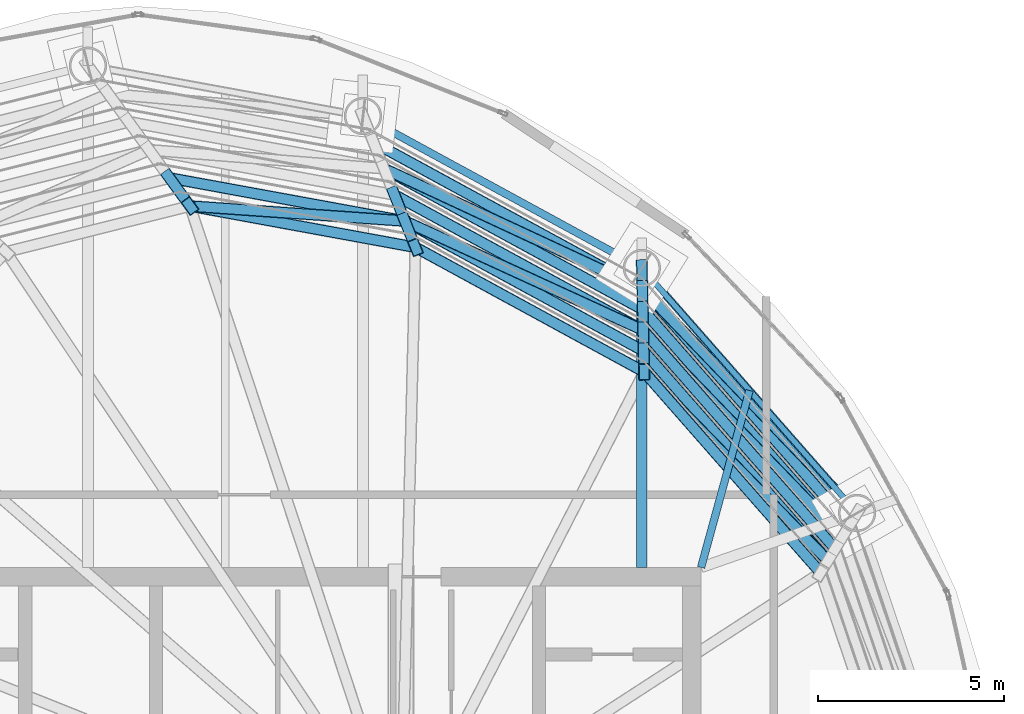
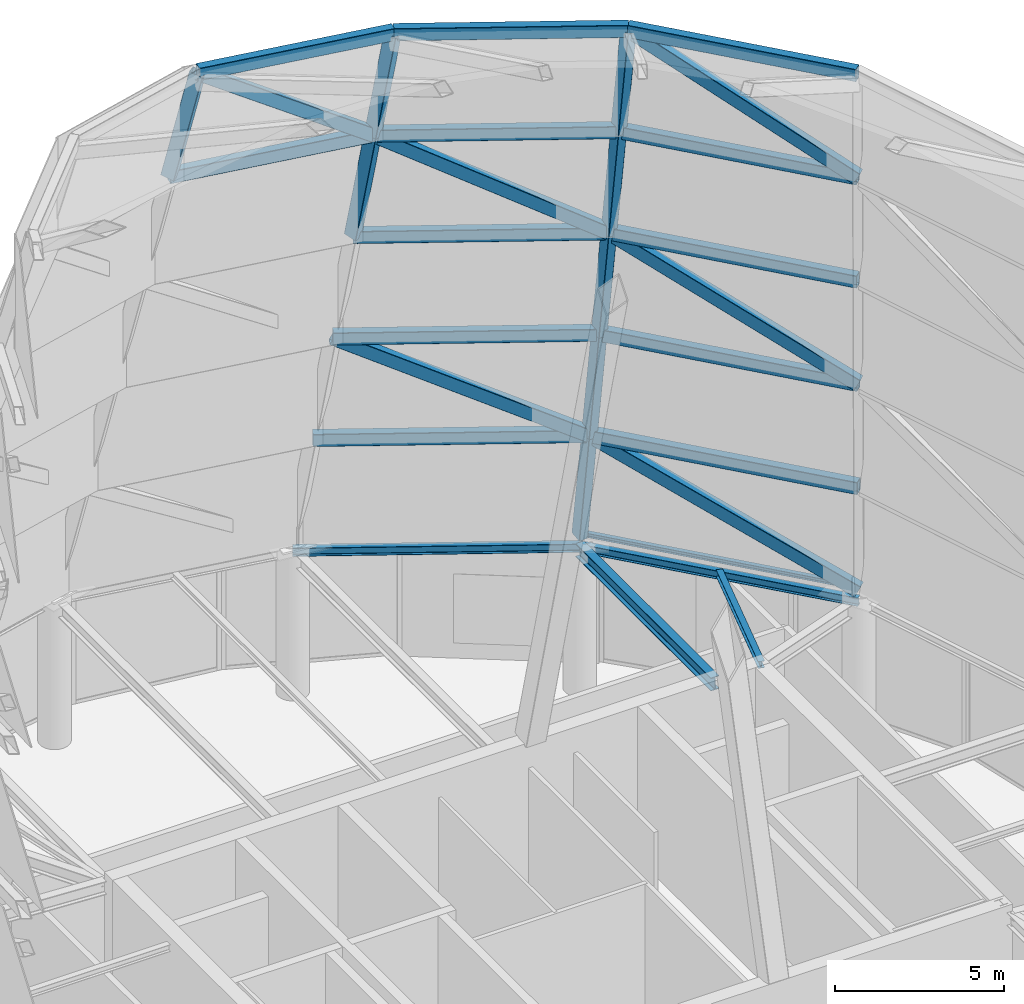
# One storey, part 31 of 40: 26 members, 5 beams.
"""IFC4 building model written with IfcOpenShell, lengths in metres."""

from ifc_helpers import new_model, si_unit, direction, frame, origin, origin_2d, place, context, subcontext, project, spatial, hollow_rectangle, i_section, extrude, material, material_profile, profile_set, type_object, element, save


model = new_model("IFC4")

# Units and contexts
model_context = context("Model", 3, precision=1e-05, world=origin(), true_north=direction((0.0, 1.0)))
body_context = subcontext(model_context, "Body", "Model", "MODEL_VIEW")
ifc_project = project(units=[si_unit("LENGTHUNIT", "METRE"), si_unit("AREAUNIT", "SQUARE_METRE"), si_unit("VOLUMEUNIT", "CUBIC_METRE"), si_unit("PLANEANGLEUNIT", "RADIAN"), si_unit("MASSUNIT", "GRAM", prefix="KILO")], contexts=[model_context])

# Site, building, storey
site_placement = place(None, origin())
site = spatial("IfcSite", under=ifc_project, at=site_placement, CompositionType="ELEMENT")
building_placement = place(site_placement, origin())
building = spatial("IfcBuilding", under=site, at=building_placement, Name="Bramvorn Convention Spire", CompositionType="ELEMENT")
storey_placement = place(building_placement, frame((0.0, 0.0, 312.5)))
storey = spatial("IfcBuildingStorey", under=building, at=storey_placement, Name="L79", CompositionType="ELEMENT", Elevation=312.5)

# Beams
ifc_material = material(Name="Steel CSA G40.21 Grade 350 (350W)", Category="steel")
ifc_material_profile_1 = material_profile(ifc_material, i_section(OverallWidth=0.152099609375, OverallDepth=0.152099609375, WebThickness=0.005859375, FlangeThickness=0.006591796875, FilletRadius=0.008056640625, at=origin_2d()))
ifc_profile_set_1 = profile_set([ifc_material_profile_1], Name="Steel CSA G40.21 Grade 350 (350W) - W150X22")
beam_type_1 = type_object("IfcBeamType", Name="BM-W150X22", PredefinedType="USERDEFINED", material=ifc_profile_set_1)
beam_1_placement = place(storey_placement, frame((53.4326171875, 34.909912109375, 5.60009765625), z_axis=(-0.660073062339, 0.751201405999, 0.0), x_axis=(-0.751201405999, -0.660073062339, 0.0)))
element("IfcBeam", 1, at=beam_1_placement, inside=storey, type_object=beam_type_1, Name="Crown spire base glazing purlin 05", ObjectType="PURLIN", PredefinedType="USERDEFINED", context=body_context, shape_type="SweptSolid", body=[
    extrude(i_section(OverallWidth=0.152099609375, OverallDepth=0.152099609375, WebThickness=0.005859375, FlangeThickness=0.006591796875, FilletRadius=0.008056640625, at=origin_2d()), origin(), (0.0, 0.0, 1.0), 8.741943359375),
])
ifc_material_profile_2 = material_profile(ifc_material, i_section(OverallWidth=0.201904296875, OverallDepth=0.2470703125, WebThickness=0.00732421875, FlangeThickness=0.010986328125, FilletRadius=0.011962890625, at=origin_2d()))
ifc_profile_set_2 = profile_set([ifc_material_profile_2], Name="Steel CSA G40.21 Grade 350 (350W) - W250X49")
beam_type_2 = type_object("IfcBeamType", Name="BM-W250X49", PredefinedType="JOIST", material=ifc_profile_set_2)
beam_2_placement = place(storey_placement, frame((49.25, 33.449951171875, 5.12646484375), z_axis=(0.26386506219, 0.96455960363, 0.0), x_axis=(-0.96455960363, 0.26386506219, 0.0)))
element("IfcBeam", 2, at=beam_2_placement, inside=storey, type_object=beam_type_2, Name="L79 composite floor joist 05", PredefinedType="JOIST", context=body_context, shape_type="SweptSolid", body=[
    extrude(i_section(OverallWidth=0.201904296875, OverallDepth=0.2470703125, WebThickness=0.00732421875, FlangeThickness=0.010986328125, FilletRadius=0.011962890625, at=origin_2d()), origin(), (0.0, 0.0, 1.0), 4.917724609375),
])
ifc_material_profile_3 = material_profile(ifc_material, i_section(OverallWidth=0.202880859375, OverallDepth=0.302978515625, WebThickness=0.007568359375, FlangeThickness=0.01318359375, FilletRadius=0.013916015625, at=origin_2d()))
ifc_profile_set_3 = profile_set([ifc_material_profile_3], Name="Steel CSA G40.21 Grade 350 (350W) - W310X60")
beam_type_3 = type_object("IfcBeamType", Name="BM-W310X60", PredefinedType="JOIST", material=ifc_profile_set_3)
beam_3_placement = place(storey_placement, frame((53.4326171875, 34.909912109375, 5.098388671875), z_axis=(-0.660073062339, 0.751201405999, 0.0), x_axis=(-0.751201405999, -0.660073062339, 0.0)))
element("IfcBeam", 3, at=beam_3_placement, inside=storey, type_object=beam_type_3, Name="L79 mega-column ring beam 05", PredefinedType="JOIST", context=body_context, shape_type="SweptSolid", body=[
    extrude(i_section(OverallWidth=0.202880859375, OverallDepth=0.302978515625, WebThickness=0.007568359375, FlangeThickness=0.01318359375, FilletRadius=0.013916015625, at=origin_2d()), origin(), (0.0, 0.0, 1.0), 8.741943359375),
])
beam_4_placement = place(storey_placement, frame((47.662353515625, 41.476806640625, 5.098388671875), z_axis=(-0.878133224771, 0.478416178189, 0.0), x_axis=(-0.478416178189, -0.878133224771, 0.0)))
element("IfcBeam", 4, at=beam_4_placement, inside=storey, type_object=beam_type_3, Name="L79 mega-column ring beam 06", PredefinedType="JOIST", context=body_context, shape_type="SweptSolid", body=[
    extrude(i_section(OverallWidth=0.202880859375, OverallDepth=0.302978515625, WebThickness=0.007568359375, FlangeThickness=0.01318359375, FilletRadius=0.013916015625, at=origin_2d()), origin(), (0.0, 0.0, 1.0), 8.515625),
])
ifc_material_profile_4 = material_profile(ifc_material, i_section(OverallWidth=0.283935546875, OverallDepth=0.47607421875, WebThickness=0.014892578125, FlangeThickness=0.02392578125, FilletRadius=0.01806640625, at=origin_2d()))
ifc_profile_set_4 = profile_set([ifc_material_profile_4], Name="Steel CSA G40.21 Grade 350 (350W) - W460X158")
beam_type_4 = type_object("IfcBeamType", Name="BM-W460X158", PredefinedType="SPANDREL", material=ifc_profile_set_4)
beam_5_placement = place(storey_placement, frame((47.662353515625, 33.449951171875, 5.011962890625), z_axis=(0.0, 1.0, 0.0), x_axis=(-1.0, 0.0, 0.0)))
element("IfcBeam", 5, at=beam_5_placement, inside=storey, type_object=beam_type_4, Name="L79 radial floor girder MC06", PredefinedType="SPANDREL", context=body_context, shape_type="SweptSolid", body=[
    extrude(i_section(OverallWidth=0.283935546875, OverallDepth=0.47607421875, WebThickness=0.014892578125, FlangeThickness=0.02392578125, FilletRadius=0.01806640625, at=origin_2d()), origin(), (0.0, 0.0, 1.0), 8.02685546875),
])

# Members
ifc_material_profile_5 = material_profile(ifc_material, hollow_rectangle(XDim=0.300048828125, YDim=0.449951171875, WallThickness=0.02001953125, InnerFilletRadius=0.00390625, OuterFilletRadius=0.02392578125, at=origin_2d()))
ifc_profile_set_5 = profile_set([ifc_material_profile_5], Name="Steel CSA G40.21 Grade 350 (350W) - CROWN450X300X20")
member_type = type_object("IfcMemberType", Name="MBR-CROWN450X300X20", PredefinedType="USERDEFINED", material=ifc_profile_set_5)
member_1_placement = place(storey_placement, frame((53.237060546875, 34.589111328125, 9.5), z_axis=(-0.660066061838, 0.75120755721, 0.0), x_axis=(-0.75120755721, -0.660066061838, 0.0)))
element("IfcMember", 6, at=member_1_placement, inside=storey, type_object=member_type, Name="Crown spire CROWN FRAME ring beam T1-05", ObjectType="CROWN FRAME", PredefinedType="USERDEFINED", context=body_context, shape_type="SweptSolid", body=[
    extrude(hollow_rectangle(XDim=0.300048828125, YDim=0.449951171875, WallThickness=0.02001953125, InnerFilletRadius=0.00390625, OuterFilletRadius=0.02392578125, at=origin_2d()), origin(), (0.0, 0.0, 1.0), 8.42724609375),
])
member_2_placement = place(storey_placement, frame((53.4326171875, 34.909912109375, 5.5), z_axis=(-0.623550220209, 0.650808234923, 0.433167131987), x_axis=(-0.72206635162, -0.691823809837, 0.0)))
element("IfcMember", 7, at=member_2_placement, inside=storey, type_object=member_type, Name="Crown spire CROWN FRAME wind brace T1-05", ObjectType="CROWN FRAME", PredefinedType="USERDEFINED", context=body_context, shape_type="SweptSolid", body=[
    extrude(hollow_rectangle(XDim=0.300048828125, YDim=0.449951171875, WallThickness=0.02001953125, InnerFilletRadius=0.00390625, OuterFilletRadius=0.02392578125, at=origin_2d()), origin(), (0.0, 0.0, 1.0), 9.234375),
])
member_3_placement = place(storey_placement, frame((47.662353515625, 41.476806640625, 5.5), z_axis=(0.003022566502, -0.13794993513, 0.990434591222), x_axis=(0.999760049092, 0.021905347263, 0.0)))
element("IfcMember", 8, at=member_3_placement, inside=storey, type_object=member_type, Name="Crown spire CROWN FRAME rib T1-06", ObjectType="CROWN FRAME", PredefinedType="USERDEFINED", context=body_context, shape_type="SweptSolid", body=[
    extrude(hollow_rectangle(XDim=0.300048828125, YDim=0.449951171875, WallThickness=0.02001953125, InnerFilletRadius=0.00390625, OuterFilletRadius=0.02392578125, at=origin_2d()), origin(), (0.0, 0.0, 1.0), 4.03857421875),
])
member_4_placement = place(storey_placement, frame((47.674560546875, 40.919677734375, 9.5), z_axis=(-0.87814095684, 0.478401985699, 0.0), x_axis=(-0.478401985699, -0.87814095684, 0.0)))
element("IfcMember", 9, at=member_4_placement, inside=storey, type_object=member_type, Name="Crown spire CROWN FRAME ring beam T1-06", ObjectType="CROWN FRAME", PredefinedType="USERDEFINED", context=body_context, shape_type="SweptSolid", body=[
    extrude(hollow_rectangle(XDim=0.300048828125, YDim=0.449951171875, WallThickness=0.02001953125, InnerFilletRadius=0.00390625, OuterFilletRadius=0.02392578125, at=origin_2d()), origin(), (0.0, 0.0, 1.0), 8.208984375),
])
member_5_placement = place(storey_placement, frame((53.04150390625, 34.2685546875, 13.5), z_axis=(-0.660073440532, 0.751201073684, 0.0), x_axis=(-0.751201073684, -0.660073440532, 0.0)))
element("IfcMember", 10, at=member_5_placement, inside=storey, type_object=member_type, Name="Crown spire CROWN FRAME ring beam T2-05", ObjectType="CROWN FRAME", PredefinedType="USERDEFINED", context=body_context, shape_type="SweptSolid", body=[
    extrude(hollow_rectangle(XDim=0.300048828125, YDim=0.449951171875, WallThickness=0.02001953125, InnerFilletRadius=0.00390625, OuterFilletRadius=0.02392578125, at=origin_2d()), origin(), (0.0, 0.0, 1.0), 8.1123046875),
])
member_6_placement = place(storey_placement, frame((47.674560546875, 40.919677734375, 9.5), z_axis=(0.003022566502, -0.13794993513, 0.990434591222), x_axis=(0.999760049092, 0.021905347263, 0.0)))
element("IfcMember", 11, at=member_6_placement, inside=storey, type_object=member_type, Name="Crown spire CROWN FRAME rib T2-06", ObjectType="CROWN FRAME", PredefinedType="USERDEFINED", context=body_context, shape_type="SweptSolid", body=[
    extrude(hollow_rectangle(XDim=0.300048828125, YDim=0.449951171875, WallThickness=0.02001953125, InnerFilletRadius=0.00390625, OuterFilletRadius=0.02392578125, at=origin_2d()), origin(), (0.0, 0.0, 1.0), 4.03857421875),
])
member_7_placement = place(storey_placement, frame((47.686767578125, 40.362548828125, 13.5), z_axis=(-0.878142217933, 0.478399670866, 0.0), x_axis=(-0.478399670866, -0.878142217933, 0.0)))
element("IfcMember", 12, at=member_7_placement, inside=storey, type_object=member_type, Name="Crown spire CROWN FRAME ring beam T2-06", ObjectType="CROWN FRAME", PredefinedType="USERDEFINED", context=body_context, shape_type="SweptSolid", body=[
    extrude(hollow_rectangle(XDim=0.300048828125, YDim=0.449951171875, WallThickness=0.02001953125, InnerFilletRadius=0.00390625, OuterFilletRadius=0.02392578125, at=origin_2d()), origin(), (0.0, 0.0, 1.0), 7.90234375),
])
member_8_placement = place(storey_placement, frame((47.674560546875, 40.919677734375, 9.5), z_axis=(-0.803232674643, 0.373760520311, 0.463810676723), x_axis=(-0.421882867737, -0.906650343799, 0.0)))
element("IfcMember", 13, at=member_8_placement, inside=storey, type_object=member_type, Name="Crown spire CROWN FRAME wind brace T2-06", ObjectType="CROWN FRAME", PredefinedType="USERDEFINED", context=body_context, shape_type="SweptSolid", body=[
    extrude(hollow_rectangle(XDim=0.300048828125, YDim=0.449951171875, WallThickness=0.02001953125, InnerFilletRadius=0.00390625, OuterFilletRadius=0.02392578125, at=origin_2d()), origin(), (0.0, 0.0, 1.0), 8.624267578125),
])
member_9_placement = place(storey_placement, frame((52.845947265625, 33.94775390625, 17.5), z_axis=(-0.660065890129, 0.751207708086, 0.0), x_axis=(-0.751207708086, -0.660065890129, 0.0)))
element("IfcMember", 14, at=member_9_placement, inside=storey, type_object=member_type, Name="Crown spire CROWN FRAME ring beam T3-05", ObjectType="CROWN FRAME", PredefinedType="USERDEFINED", context=body_context, shape_type="SweptSolid", body=[
    extrude(hollow_rectangle(XDim=0.300048828125, YDim=0.449951171875, WallThickness=0.02001953125, InnerFilletRadius=0.00390625, OuterFilletRadius=0.02392578125, at=origin_2d()), origin(), (0.0, 0.0, 1.0), 7.797607421875),
])
member_10_placement = place(storey_placement, frame((53.04150390625, 34.2685546875, 13.5), z_axis=(-0.616083315672, 0.638493511682, 0.461267150024), x_axis=(-0.719622856242, -0.694365137931, 0.0)))
element("IfcMember", 15, at=member_10_placement, inside=storey, type_object=member_type, Name="Crown spire CROWN FRAME wind brace T3-05", ObjectType="CROWN FRAME", PredefinedType="USERDEFINED", context=body_context, shape_type="SweptSolid", body=[
    extrude(hollow_rectangle(XDim=0.300048828125, YDim=0.449951171875, WallThickness=0.02001953125, InnerFilletRadius=0.00390625, OuterFilletRadius=0.02392578125, at=origin_2d()), origin(), (0.0, 0.0, 1.0), 8.671875),
])
member_11_placement = place(storey_placement, frame((47.686767578125, 40.362548828125, 13.5), z_axis=(0.003022566502, -0.13794993513, 0.990434591222), x_axis=(0.999760049092, 0.021905347263, 0.0)))
element("IfcMember", 16, at=member_11_placement, inside=storey, type_object=member_type, Name="Crown spire CROWN FRAME rib T3-06", ObjectType="CROWN FRAME", PredefinedType="USERDEFINED", context=body_context, shape_type="SweptSolid", body=[
    extrude(hollow_rectangle(XDim=0.300048828125, YDim=0.449951171875, WallThickness=0.02001953125, InnerFilletRadius=0.00390625, OuterFilletRadius=0.02392578125, at=origin_2d()), origin(), (0.0, 0.0, 1.0), 4.03857421875),
])
member_12_placement = place(storey_placement, frame((47.698974609375, 39.805419921875, 17.5), z_axis=(-0.878150936611, 0.478383666661, 0.0), x_axis=(-0.478383666661, -0.878150936611, 0.0)))
element("IfcMember", 17, at=member_12_placement, inside=storey, type_object=member_type, Name="Crown spire CROWN FRAME ring beam T3-06", ObjectType="CROWN FRAME", PredefinedType="USERDEFINED", context=body_context, shape_type="SweptSolid", body=[
    extrude(hollow_rectangle(XDim=0.300048828125, YDim=0.449951171875, WallThickness=0.02001953125, InnerFilletRadius=0.00390625, OuterFilletRadius=0.02392578125, at=origin_2d()), origin(), (0.0, 0.0, 1.0), 7.595947265625),
])
member_13_placement = place(storey_placement, frame((52.650390625, 33.626953125, 21.5), z_axis=(-0.660092293178, 0.751184507619, 0.0), x_axis=(-0.751184507619, -0.660092293178, 0.0)))
element("IfcMember", 18, at=member_13_placement, inside=storey, type_object=member_type, Name="Crown spire CROWN FRAME ring beam T4-05", ObjectType="CROWN FRAME", PredefinedType="USERDEFINED", context=body_context, shape_type="SweptSolid", body=[
    extrude(hollow_rectangle(XDim=0.300048828125, YDim=0.449951171875, WallThickness=0.02001953125, InnerFilletRadius=0.00390625, OuterFilletRadius=0.02392578125, at=origin_2d()), origin(), (0.0, 0.0, 1.0), 7.48291015625),
])
member_14_placement = place(storey_placement, frame((47.698974609375, 39.805419921875, 17.5), z_axis=(0.002962091, -0.138009260282, 0.990426509183), x_axis=(0.999769749635, 0.021458045437, 0.0)))
element("IfcMember", 19, at=member_14_placement, inside=storey, type_object=member_type, Name="Crown spire CROWN FRAME rib T4-06", ObjectType="CROWN FRAME", PredefinedType="USERDEFINED", context=body_context, shape_type="SweptSolid", body=[
    extrude(hollow_rectangle(XDim=0.300048828125, YDim=0.449951171875, WallThickness=0.02001953125, InnerFilletRadius=0.00390625, OuterFilletRadius=0.02392578125, at=origin_2d()), origin(), (0.0, 0.0, 1.0), 4.03857421875),
])
member_15_placement = place(storey_placement, frame((47.7109375, 39.248046875, 21.5), z_axis=(-0.878124582744, 0.478432040295, 0.0), x_axis=(-0.478432040295, -0.878124582744, 0.0)))
element("IfcMember", 20, at=member_15_placement, inside=storey, type_object=member_type, Name="Crown spire CROWN FRAME ring beam T4-06", ObjectType="CROWN FRAME", PredefinedType="USERDEFINED", context=body_context, shape_type="SweptSolid", body=[
    extrude(hollow_rectangle(XDim=0.300048828125, YDim=0.449951171875, WallThickness=0.02001953125, InnerFilletRadius=0.00390625, OuterFilletRadius=0.02392578125, at=origin_2d()), origin(), (0.0, 0.0, 1.0), 7.28955078125),
])
member_16_placement = place(storey_placement, frame((47.698974609375, 39.805419921875, 17.5), z_axis=(-0.790006512844, 0.362310208909, 0.494591773268), x_axis=(-0.416867583042, -0.908967226147, 0.0)))
element("IfcMember", 21, at=member_16_placement, inside=storey, type_object=member_type, Name="Crown spire CROWN FRAME wind brace T4-06", ObjectType="CROWN FRAME", PredefinedType="USERDEFINED", context=body_context, shape_type="SweptSolid", body=[
    extrude(hollow_rectangle(XDim=0.300048828125, YDim=0.449951171875, WallThickness=0.02001953125, InnerFilletRadius=0.00390625, OuterFilletRadius=0.02392578125, at=origin_2d()), origin(), (0.0, 0.0, 1.0), 8.08740234375),
])
member_17_placement = place(storey_placement, frame((41.028564453125, 43.439208984375, 17.5), z_axis=(0.069083859859, -0.172829586904, 0.982526006881), x_axis=(0.928565545633, 0.371168462377, 0.0)))
element("IfcMember", 22, at=member_17_placement, inside=storey, type_object=member_type, Name="Crown spire CROWN FRAME rib T4-07", ObjectType="CROWN FRAME", PredefinedType="USERDEFINED", context=body_context, shape_type="SweptSolid", body=[
    extrude(hollow_rectangle(XDim=0.300048828125, YDim=0.449951171875, WallThickness=0.02001953125, InnerFilletRadius=0.00390625, OuterFilletRadius=0.02392578125, at=origin_2d()), origin(), (0.0, 0.0, 1.0), 4.071044921875),
])
member_18_placement = place(storey_placement, frame((41.309814453125, 42.735595703125, 21.5), z_axis=(-0.98364938652, 0.180094098735, 0.0), x_axis=(-0.180094098735, -0.98364938652, 0.0)))
element("IfcMember", 23, at=member_18_placement, inside=storey, type_object=member_type, Name="Crown spire CROWN FRAME ring beam T4-07", ObjectType="CROWN FRAME", PredefinedType="USERDEFINED", context=body_context, shape_type="SweptSolid", body=[
    extrude(hollow_rectangle(XDim=0.300048828125, YDim=0.449951171875, WallThickness=0.02001953125, InnerFilletRadius=0.00390625, OuterFilletRadius=0.02392578125, at=origin_2d()), origin(), (0.0, 0.0, 1.0), 6.416259765625),
])
member_19_placement = place(storey_placement, frame((52.45458984375, 33.30615234375, 25.5), z_axis=(-0.66006568826, 0.751207885463, 0.0), x_axis=(-0.751207885463, -0.66006568826, 0.0)))
element("IfcMember", 24, at=member_19_placement, inside=storey, type_object=member_type, Name="Crown spire CROWN FRAME ring beam T5-05", ObjectType="CROWN FRAME", PredefinedType="USERDEFINED", context=body_context, shape_type="SweptSolid", body=[
    extrude(hollow_rectangle(XDim=0.300048828125, YDim=0.449951171875, WallThickness=0.02001953125, InnerFilletRadius=0.00390625, OuterFilletRadius=0.02392578125, at=origin_2d()), origin(), (0.0, 0.0, 1.0), 7.168212890625),
])
member_20_placement = place(storey_placement, frame((52.650390625, 33.626953125, 21.5), z_axis=(-0.606863102695, 0.623702035284, 0.492659056315), x_axis=(-0.716715661924, -0.697365513883, 0.0)))
element("IfcMember", 25, at=member_20_placement, inside=storey, type_object=member_type, Name="Crown spire CROWN FRAME wind brace T5-05", ObjectType="CROWN FRAME", PredefinedType="USERDEFINED", context=body_context, shape_type="SweptSolid", body=[
    extrude(hollow_rectangle(XDim=0.300048828125, YDim=0.449951171875, WallThickness=0.02001953125, InnerFilletRadius=0.00390625, OuterFilletRadius=0.02392578125, at=origin_2d()), origin(), (0.0, 0.0, 1.0), 8.119140625),
])
member_21_placement = place(storey_placement, frame((47.7109375, 39.248046875, 21.5), z_axis=(0.003022566502, -0.13794993513, 0.990434591222), x_axis=(0.999760049092, 0.021905347263, 0.0)))
element("IfcMember", 26, at=member_21_placement, inside=storey, type_object=member_type, Name="Crown spire CROWN FRAME rib T5-06", ObjectType="CROWN FRAME", PredefinedType="USERDEFINED", context=body_context, shape_type="SweptSolid", body=[
    extrude(hollow_rectangle(XDim=0.300048828125, YDim=0.449951171875, WallThickness=0.02001953125, InnerFilletRadius=0.00390625, OuterFilletRadius=0.02392578125, at=origin_2d()), origin(), (0.0, 0.0, 1.0), 4.03857421875),
])
member_22_placement = place(storey_placement, frame((47.72314453125, 38.69091796875, 25.5), z_axis=(-0.878125290873, 0.478430740576, 0.0), x_axis=(-0.478430740576, -0.878125290873, 0.0)))
element("IfcMember", 27, at=member_22_placement, inside=storey, type_object=member_type, Name="Crown spire CROWN FRAME ring beam T5-06", ObjectType="CROWN FRAME", PredefinedType="USERDEFINED", context=body_context, shape_type="SweptSolid", body=[
    extrude(hollow_rectangle(XDim=0.300048828125, YDim=0.449951171875, WallThickness=0.02001953125, InnerFilletRadius=0.00390625, OuterFilletRadius=0.02392578125, at=origin_2d()), origin(), (0.0, 0.0, 1.0), 6.98291015625),
])
member_23_placement = place(storey_placement, frame((41.309814453125, 42.735595703125, 21.5), z_axis=(0.069142825176, -0.172887046819, 0.982511749939), x_axis=(0.928498900257, 0.371335148108, 0.0)))
element("IfcMember", 28, at=member_23_placement, inside=storey, type_object=member_type, Name="Crown spire CROWN FRAME rib T5-07", ObjectType="CROWN FRAME", PredefinedType="USERDEFINED", context=body_context, shape_type="SweptSolid", body=[
    extrude(hollow_rectangle(XDim=0.300048828125, YDim=0.449951171875, WallThickness=0.02001953125, InnerFilletRadius=0.00390625, OuterFilletRadius=0.02392578125, at=origin_2d()), origin(), (0.0, 0.0, 1.0), 4.0712890625),
])
member_24_placement = place(storey_placement, frame((41.59130859375, 42.03173828125, 25.5), z_axis=(-0.983649271653, 0.180094726122, 0.0), x_axis=(-0.180094726122, -0.983649271653, 0.0)))
element("IfcMember", 29, at=member_24_placement, inside=storey, type_object=member_type, Name="Crown spire CROWN FRAME ring beam T5-07", ObjectType="CROWN FRAME", PredefinedType="USERDEFINED", context=body_context, shape_type="SweptSolid", body=[
    extrude(hollow_rectangle(XDim=0.300048828125, YDim=0.449951171875, WallThickness=0.02001953125, InnerFilletRadius=0.00390625, OuterFilletRadius=0.02392578125, at=origin_2d()), origin(), (0.0, 0.0, 1.0), 6.146484375),
])
member_25_placement = place(storey_placement, frame((41.309814453125, 42.735595703125, 21.5), z_axis=(-0.820221752859, 0.057354034728, 0.569163237425), x_axis=(-0.069754709696, -0.997564173613, 0.0)))
element("IfcMember", 30, at=member_25_placement, inside=storey, type_object=member_type, Name="Crown spire CROWN FRAME wind brace T5-07", ObjectType="CROWN FRAME", PredefinedType="USERDEFINED", context=body_context, shape_type="SweptSolid", body=[
    extrude(hollow_rectangle(XDim=0.300048828125, YDim=0.449951171875, WallThickness=0.02001953125, InnerFilletRadius=0.00390625, OuterFilletRadius=0.02392578125, at=origin_2d()), origin(), (0.0, 0.0, 1.0), 7.02783203125),
])
member_26_placement = place(storey_placement, frame((34.99853515625, 43.89111328125, 21.5), z_axis=(0.133165524247, -0.18322149363, 0.974010691637), x_axis=(0.808917643277, 0.58792197305, 0.0)))
element("IfcMember", 31, at=member_26_placement, inside=storey, type_object=member_type, Name="Crown spire CROWN FRAME rib T5-08", ObjectType="CROWN FRAME", PredefinedType="USERDEFINED", context=body_context, shape_type="SweptSolid", body=[
    extrude(hollow_rectangle(XDim=0.300048828125, YDim=0.449951171875, WallThickness=0.02001953125, InnerFilletRadius=0.00390625, OuterFilletRadius=0.02392578125, at=origin_2d()), origin(), (0.0, 0.0, 1.0), 4.106689453125),
])

save(model, "model.ifc")
